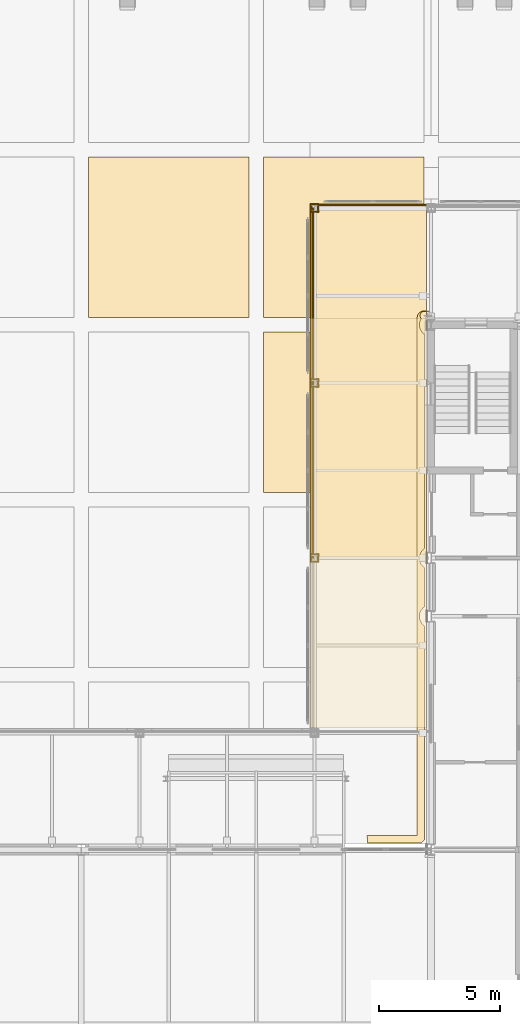
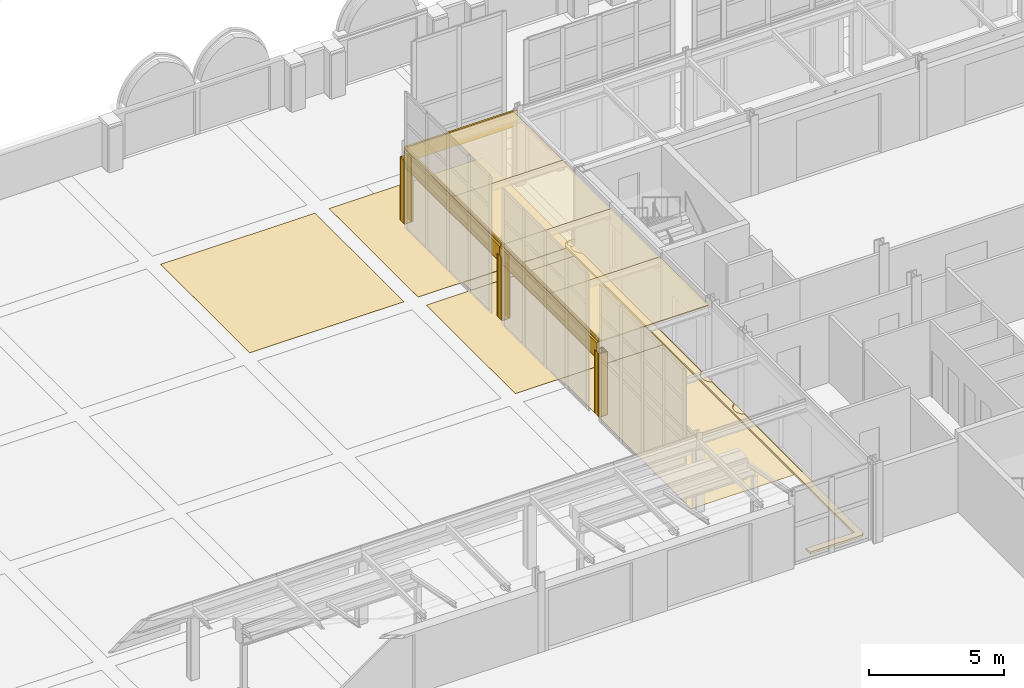
# One storey, part 116 of 143: 28 coverings.
"""IFC4 building model written with IfcOpenShell, lengths in metres."""

from ifc_helpers import new_model, si_unit, direction, frame, origin, origin_2d, place, context, subcontext, project, spatial, polyline, rectangle, outline, extrude, material, layer, layer_set, type_object, element, save


model = new_model("IFC4")

# Units and contexts
model_context = context("Model", 3, precision=1e-05, world=origin(), true_north=direction((0.0, 1.0)))
body_context = subcontext(model_context, "Body", "Model", "MODEL_VIEW")
ifc_project = project(units=[si_unit("LENGTHUNIT", "METRE"), si_unit("AREAUNIT", "SQUARE_METRE"), si_unit("VOLUMEUNIT", "CUBIC_METRE"), si_unit("PLANEANGLEUNIT", "RADIAN"), si_unit("MASSUNIT", "GRAM", prefix="KILO")], contexts=[model_context])

# Site, building, storey
site_placement = place(None, origin())
site = spatial("IfcSite", under=ifc_project, at=site_placement, CompositionType="ELEMENT")
building_placement = place(site_placement, origin())
building = spatial("IfcBuilding", under=site, at=building_placement, Name="Kupolbacken Congress Centre", CompositionType="ELEMENT")
storey_placement = place(building_placement, frame((0.0, 0.0, 7.199951171875)))
storey = spatial("IfcBuildingStorey", under=building, at=storey_placement, Name="L02", CompositionType="ELEMENT", Elevation=7.199951171875)

# Coverings
ifc_material_1 = material(Name="Limestone cladding", Category="masonry")
ifc_layer_1 = layer(ifc_material_1, 0.1201171875)
ifc_layer_set_1 = layer_set([ifc_layer_1], Name="Limestone cladding")
covering_type_1 = type_object("IfcCoveringType", Name="CV1 limestone cladding band 120", PredefinedType="CLADDING", material=ifc_layer_set_1)
for number, where, z_axis, x_axis, name in (
    (1, (60.0, 134.544921875, 0.0), (0.0, 0.0, 1.0), (1.0, 0.0, 0.0), "E/T/portico/W/col134.4/cladn"),
    (2, (60.0, 134.2548828125, 0.0), (0.0, 0.0, 1.0), (1.0, 0.0, 0.0), "E/T/portico/W/col134.4/clads"),
):
    element("IfcCovering", number, at=place(storey_placement, frame(where, z_axis=z_axis, x_axis=x_axis)), inside=storey, type_object=covering_type_1, Name=name, PredefinedType="CLADDING", context=body_context, shape_type="SweptSolid", body=[
        extrude(rectangle(XDim=0.360107421875, YDim=0.06005859375, at=origin_2d()), origin(), (0.0, 0.0, 1.0), 2.8701171875),
    ])
for number, where, z_axis, x_axis, name in (
    (3, (60.14990234375, 134.39990234375, 0.0), (0.0, 0.0, 1.0), (1.0, 0.0, 0.0), "E/T/portico/W/col134.4/clade"),
    (4, (59.85009765625, 134.39990234375, 0.0), (0.0, 0.0, 1.0), (1.0, 0.0, 0.0), "E/T/portico/W/col134.4/cladw"),
):
    element("IfcCovering", number, at=place(storey_placement, frame(where, z_axis=z_axis, x_axis=x_axis)), inside=storey, type_object=covering_type_1, Name=name, PredefinedType="CLADDING", context=body_context, shape_type="SweptSolid", body=[
        extrude(rectangle(XDim=0.06005859375, YDim=0.22998046875, at=origin_2d()), origin(), (0.0, 0.0, 1.0), 2.8701171875),
    ])
for number, where, z_axis, x_axis, name in (
    (5, (60.0, 141.7451171875, 0.0), (0.0, 0.0, 1.0), (1.0, 0.0, 0.0), "E/T/portico/W/col141.6/cladn"),
    (6, (60.0, 141.455078125, 0.0), (0.0, 0.0, 1.0), (1.0, 0.0, 0.0), "E/T/portico/W/col141.6/clads"),
):
    element("IfcCovering", number, at=place(storey_placement, frame(where, z_axis=z_axis, x_axis=x_axis)), inside=storey, type_object=covering_type_1, Name=name, PredefinedType="CLADDING", context=body_context, shape_type="SweptSolid", body=[
        extrude(rectangle(XDim=0.360107421875, YDim=0.06005859375, at=origin_2d()), origin(), (0.0, 0.0, 1.0), 2.8701171875),
    ])
for number, where, z_axis, x_axis, name in (
    (7, (60.14990234375, 141.60009765625, 0.0), (0.0, 0.0, 1.0), (1.0, 0.0, 0.0), "E/T/portico/W/col141.6/clade"),
    (8, (59.85009765625, 141.60009765625, 0.0), (0.0, 0.0, 1.0), (1.0, 0.0, 0.0), "E/T/portico/W/col141.6/cladw"),
):
    element("IfcCovering", number, at=place(storey_placement, frame(where, z_axis=z_axis, x_axis=x_axis)), inside=storey, type_object=covering_type_1, Name=name, PredefinedType="CLADDING", context=body_context, shape_type="SweptSolid", body=[
        extrude(rectangle(XDim=0.06005859375, YDim=0.22998046875, at=origin_2d()), origin(), (0.0, 0.0, 1.0), 2.8701171875),
    ])
for number, where, z_axis, x_axis, name in (
    (9, (60.0, 148.945068359375, 0.0), (0.0, 0.0, 1.0), (1.0, 0.0, 0.0), "E/T/portico/W/col148.8/cladn"),
    (10, (60.0, 148.655029296875, 0.0), (0.0, 0.0, 1.0), (1.0, 0.0, 0.0), "E/T/portico/W/col148.8/clads"),
):
    element("IfcCovering", number, at=place(storey_placement, frame(where, z_axis=z_axis, x_axis=x_axis)), inside=storey, type_object=covering_type_1, Name=name, PredefinedType="CLADDING", context=body_context, shape_type="SweptSolid", body=[
        extrude(rectangle(XDim=0.360107421875, YDim=0.06005859375, at=origin_2d()), origin(), (0.0, 0.0, 1.0), 2.8701171875),
    ])
for number, where, z_axis, x_axis, name in (
    (11, (60.14990234375, 148.800048828125, 0.0), (0.0, 0.0, 1.0), (1.0, 0.0, 0.0), "E/T/portico/W/col148.8/clade"),
    (12, (59.85009765625, 148.800048828125, 0.0), (0.0, 0.0, 1.0), (1.0, 0.0, 0.0), "E/T/portico/W/col148.8/cladw"),
):
    element("IfcCovering", number, at=place(storey_placement, frame(where, z_axis=z_axis, x_axis=x_axis)), inside=storey, type_object=covering_type_1, Name=name, PredefinedType="CLADDING", context=body_context, shape_type="SweptSolid", body=[
        extrude(rectangle(XDim=0.06005859375, YDim=0.22998046875, at=origin_2d()), origin(), (0.0, 0.0, 1.0), 2.8701171875),
    ])
covering_1_placement = place(storey_placement, frame((59.8701171875, 138.0, 2.5703125), z_axis=(0.0, 0.0, 1.0), x_axis=(0.0, 1.0, 0.0)))
element("IfcCovering", 13, at=covering_1_placement, inside=storey, type_object=covering_type_1, Name="E/T/portico/W/fascia134.4", PredefinedType="CLADDING", context=body_context, shape_type="SweptSolid", body=[
    extrude(rectangle(XDim=7.199951171875, YDim=0.080078125, at=origin_2d()), origin(), (0.0, 0.0, 1.0), 0.699951171875),
])
covering_2_placement = place(storey_placement, frame((59.8701171875, 145.14990234375, 2.5703125), z_axis=(0.0, 0.0, 1.0), x_axis=(0.0, 1.0, 0.0)))
element("IfcCovering", 14, at=covering_2_placement, inside=storey, type_object=covering_type_1, Name="E/T/portico/W/fascia141.6", PredefinedType="CLADDING", context=body_context, shape_type="SweptSolid", body=[
    extrude(rectangle(XDim=7.10009765625, YDim=0.080078125, at=origin_2d()), origin(), (0.0, 0.0, 1.0), 0.699951171875),
])
covering_3_placement = place(storey_placement, frame((62.39990234375, 148.929931640625, 2.5703125), z_axis=(0.0, 0.0, 1.0), x_axis=(1.0, 0.0, 0.0)))
element("IfcCovering", 15, at=covering_3_placement, inside=storey, type_object=covering_type_1, Name="E/T/portico/N/fascia60", PredefinedType="CLADDING", context=body_context, shape_type="SweptSolid", body=[
    extrude(rectangle(XDim=4.800048828125, YDim=0.080078125, at=origin_2d()), origin(), (0.0, 0.0, 1.0), 0.699951171875),
])
ifc_material_2 = material(Name="Glass", Category="glass")
ifc_layer_2 = layer(ifc_material_2, 0.0439453125)
ifc_layer_set_2 = layer_set([ifc_layer_2], Name="Glass")
covering_type_2 = type_object("IfcCoveringType", Name="GC1 glazed canopy roof 44", PredefinedType="ROOFING", material=ifc_layer_set_2)
for number, where, z_axis, x_axis, name in (
    (16, (62.260009765625, 136.199951171875, 3.27001953125), (0.0, 0.0, 1.0), (0.0, 1.0, 0.0), "Portico glass"),
    (17, (62.260009765625, 139.800048828125, 3.27001953125), (0.0, 0.0, 1.0), (0.0, 1.0, 0.0), "Portico glass"),
    (18, (62.260009765625, 143.39990234375, 3.27001953125), (0.0, 0.0, 1.0), (0.0, 1.0, 0.0), "Portico glass"),
    (19, (62.260009765625, 147.0, 3.27001953125), (0.0, 0.0, 1.0), (0.0, 1.0, 0.0), "Portico glass"),
):
    element("IfcCovering", number, at=place(storey_placement, frame(where, z_axis=z_axis, x_axis=x_axis)), inside=storey, type_object=covering_type_2, Name=name, PredefinedType="ROOFING", context=body_context, shape_type="SweptSolid", body=[
        extrude(rectangle(XDim=3.60009765625, YDim=4.699951171875, at=origin_2d()), origin(), (0.0, 0.0, 1.0), 0.0439453125),
    ])
ifc_material_3 = material(Name="Limestone cladding", Category="masonry")
ifc_layer_3 = layer(ifc_material_3, 0.02001953125)
ifc_layer_set_3 = layer_set([ifc_layer_3], Name="Limestone cladding")
covering_type_3 = type_object("IfcCoveringType", Name="GF1 limestone paving 20", PredefinedType="FLOORING", material=ifc_layer_set_3)
covering_4_placement = place(storey_placement, origin())
element("IfcCovering", 20, at=covering_4_placement, inside=storey, type_object=covering_type_3, Name="Forecourt limestone paving", PredefinedType="FLOORING", context=body_context, shape_type="SweptSolid", body=[
    extrude(outline(polyline([(64.5, 144.57373046875), (64.466552734375, 144.569091796875), (64.43798828125, 144.56201171875), (64.41015625, 144.55224609375), (64.383544921875, 144.53955078125), (64.3583984375, 144.5244140625), (64.334716796875, 144.5068359375), (64.31298828125, 144.487060546875), (64.293212890625, 144.46533203125), (64.275634765625, 144.441650390625), (64.260498046875, 144.41650390625), (64.247802734375, 144.389892578125), (64.23779296875, 144.362060546875), (64.230712890625, 144.33349609375), (64.226318359375, 144.304443359375), (64.22509765625, 144.27490234375), (64.226318359375, 144.300048828125), (57.89990234375, 144.300048828125), (57.89990234375, 150.89990234375), (64.5, 150.89990234375), (64.5, 144.57373046875)])), origin(), (0.0, 0.0, 1.0), 0.02001953125),
])
covering_5_placement = place(storey_placement, origin())
element("IfcCovering", 21, at=covering_5_placement, inside=storey, type_object=covering_type_3, Name="Forecourt limestone paving", PredefinedType="FLOORING", context=body_context, shape_type="SweptSolid", body=[
    extrude(outline(polyline([(64.22509765625, 137.10009765625), (57.89990234375, 137.10009765625), (57.89990234375, 143.699951171875), (64.22509765625, 143.699951171875), (64.22509765625, 137.10009765625)])), origin(), (0.0, 0.0, 1.0), 0.02001953125),
])
covering_6_placement = place(storey_placement, origin())
element("IfcCovering", 22, at=covering_6_placement, inside=storey, type_object=covering_type_3, Name="Forecourt limestone paving", PredefinedType="FLOORING", context=body_context, shape_type="SweptSolid", body=[
    extrude(outline(polyline([(57.300048828125, 144.300048828125), (50.699951171875, 144.300048828125), (50.699951171875, 150.89990234375), (57.300048828125, 150.89990234375), (57.300048828125, 144.300048828125)])), origin(), (0.0, 0.0, 1.0), 0.02001953125),
])
covering_7_placement = place(storey_placement, frame((62.215087890625, 135.840087890625, 0.0), z_axis=(0.0, 0.0, 1.0), x_axis=(1.0, 0.0, 0.0)))
element("IfcCovering", 23, at=covering_7_placement, inside=storey, type_object=covering_type_3, Name="E/T/paving/gall", PredefinedType="FLOORING", context=body_context, shape_type="SweptSolid", body=[
    extrude(rectangle(XDim=4.7900390625, YDim=16.8798828125, at=origin_2d()), origin(), (0.0, 0.0, 1.0), 0.02001953125),
])
ifc_material_4 = material(Name="Granite setts", Category="masonry")
ifc_layer_4 = layer(ifc_material_4, 0.10009765625)
ifc_layer_set_4 = layer_set([ifc_layer_4], Name="Granite setts")
covering_type_4 = type_object("IfcCoveringType", Name="GR3 granite sett paving 100", PredefinedType="FLOORING", material=ifc_layer_set_4)
covering_8_placement = place(storey_placement, origin())
element("IfcCovering", 24, at=covering_8_placement, inside=storey, type_object=covering_type_4, Name="Granite kerb edging", PredefinedType="FLOORING", context=body_context, shape_type="SweptSolid", body=[
    extrude(outline(polyline([(64.4560546875, 144.541259765625), (64.425048828125, 144.524658203125), (64.397705078125, 144.502197265625), (64.375244140625, 144.47509765625), (64.3662109375, 144.4599609375), (64.352783203125, 144.42724609375), (64.348388671875, 144.41015625), (64.344970703125, 144.375), (64.348388671875, 144.33984375), (64.358642578125, 144.30615234375), (64.3662109375, 144.2900390625), (64.375244140625, 144.27490234375), (64.392578125, 144.253173828125), (64.376708984375, 144.226318359375), (64.3564453125, 144.18359375), (64.340576171875, 144.139404296875), (64.3291015625, 144.09375), (64.322265625, 144.047119140625), (64.320068359375, 144.0), (64.322265625, 143.952880859375), (64.3291015625, 143.90625), (64.340576171875, 143.860595703125), (64.3564453125, 143.81640625), (64.376708984375, 143.773681640625), (64.40087890625, 143.7333984375), (64.428955078125, 143.695556640625), (64.460693359375, 143.66064453125), (64.49560546875, 143.62890625), (64.52294921875, 143.6083984375), (64.52294921875, 134.79150390625), (64.49560546875, 134.77099609375), (64.460693359375, 134.739501953125), (64.428955078125, 134.70458984375), (64.40087890625, 134.666748046875), (64.376708984375, 134.626220703125), (64.3564453125, 134.583740234375), (64.340576171875, 134.539306640625), (64.3291015625, 134.49365234375), (64.322265625, 134.447021484375), (64.320068359375, 134.39990234375), (64.322265625, 134.352783203125), (64.3291015625, 134.306396484375), (64.340576171875, 134.2607421875), (64.3564453125, 134.21630859375), (64.376708984375, 134.173583984375), (64.40087890625, 134.13330078125), (64.428955078125, 134.095458984375), (64.460693359375, 134.060546875), (64.49560546875, 134.02880859375), (64.52294921875, 134.008544921875), (64.52294921875, 132.3916015625), (64.49560546875, 132.37109375), (64.460693359375, 132.33935546875), (64.428955078125, 132.304443359375), (64.40087890625, 132.2666015625), (64.376708984375, 132.226318359375), (64.3564453125, 132.18359375), (64.340576171875, 132.139404296875), (64.3291015625, 132.09375), (64.322265625, 132.047119140625), (64.320068359375, 132.0), (64.322265625, 131.952880859375), (64.3291015625, 131.90625), (64.340576171875, 131.860595703125), (64.3564453125, 131.81640625), (64.376708984375, 131.773681640625), (64.40087890625, 131.7333984375), (64.428955078125, 131.695556640625), (64.460693359375, 131.66064453125), (64.49560546875, 131.62890625), (64.52294921875, 131.6083984375), (64.52294921875, 122.79150390625), (64.49560546875, 122.77099609375), (64.460693359375, 122.739501953125), (64.428955078125, 122.70458984375), (64.408447265625, 122.677001953125), (62.186279296875, 122.677001953125), (62.177734375, 122.850830078125), (62.159423828125, 122.97509765625), (64.22509765625, 122.97509765625), (64.22509765625, 144.27490234375), (64.226318359375, 144.304443359375), (64.230712890625, 144.33349609375), (64.23779296875, 144.362060546875), (64.247802734375, 144.389892578125), (64.260498046875, 144.41650390625), (64.275634765625, 144.441650390625), (64.293212890625, 144.46533203125), (64.31298828125, 144.487060546875), (64.334716796875, 144.5068359375), (64.3583984375, 144.5244140625), (64.383544921875, 144.53955078125), (64.41015625, 144.55224609375), (64.43798828125, 144.56201171875), (64.466552734375, 144.569091796875), (64.49560546875, 144.573486328125), (64.52490234375, 144.574951171875), (64.798095703125, 144.574951171875), (64.798095703125, 144.554931640625), (64.5244140625, 144.554931640625), (64.489990234375, 144.551513671875), (64.4560546875, 144.541259765625)])), origin(), (0.0, 0.0, 1.0), 0.10009765625),
])
ifc_material_5 = material(Name="Steel S355", Category="steel")
ifc_layer_5 = layer(ifc_material_5, 0.06005859375)
ifc_layer_set_5 = layer_set([ifc_layer_5], Name="Steel S355")
covering_type_5 = type_object("IfcCoveringType", Name="SG1 snow guard bar 60 x 100", PredefinedType="CLADDING", material=ifc_layer_set_5)
for number, where, z_axis, x_axis, name in (
    (25, (59.93994140625, 136.199951171875, 3.31396484375), (0.0, 0.0, 1.0), (0.0, 1.0, 0.0), "Snow guard"),
    (26, (59.93994140625, 139.800048828125, 3.31396484375), (0.0, 0.0, 1.0), (0.0, 1.0, 0.0), "Snow guard"),
    (27, (59.93994140625, 143.39990234375, 3.31396484375), (0.0, 0.0, 1.0), (0.0, 1.0, 0.0), "Snow guard"),
    (28, (59.93994140625, 147.0, 3.31396484375), (0.0, 0.0, 1.0), (0.0, 1.0, 0.0), "Snow guard"),
):
    element("IfcCovering", number, at=place(storey_placement, frame(where, z_axis=z_axis, x_axis=x_axis)), inside=storey, type_object=covering_type_5, Name=name, PredefinedType="CLADDING", context=body_context, shape_type="SweptSolid", body=[
        extrude(rectangle(XDim=3.60009765625, YDim=0.06005859375, at=origin_2d()), origin(), (0.0, 0.0, 1.0), 0.10009765625),
    ])

save(model, "model.ifc")
